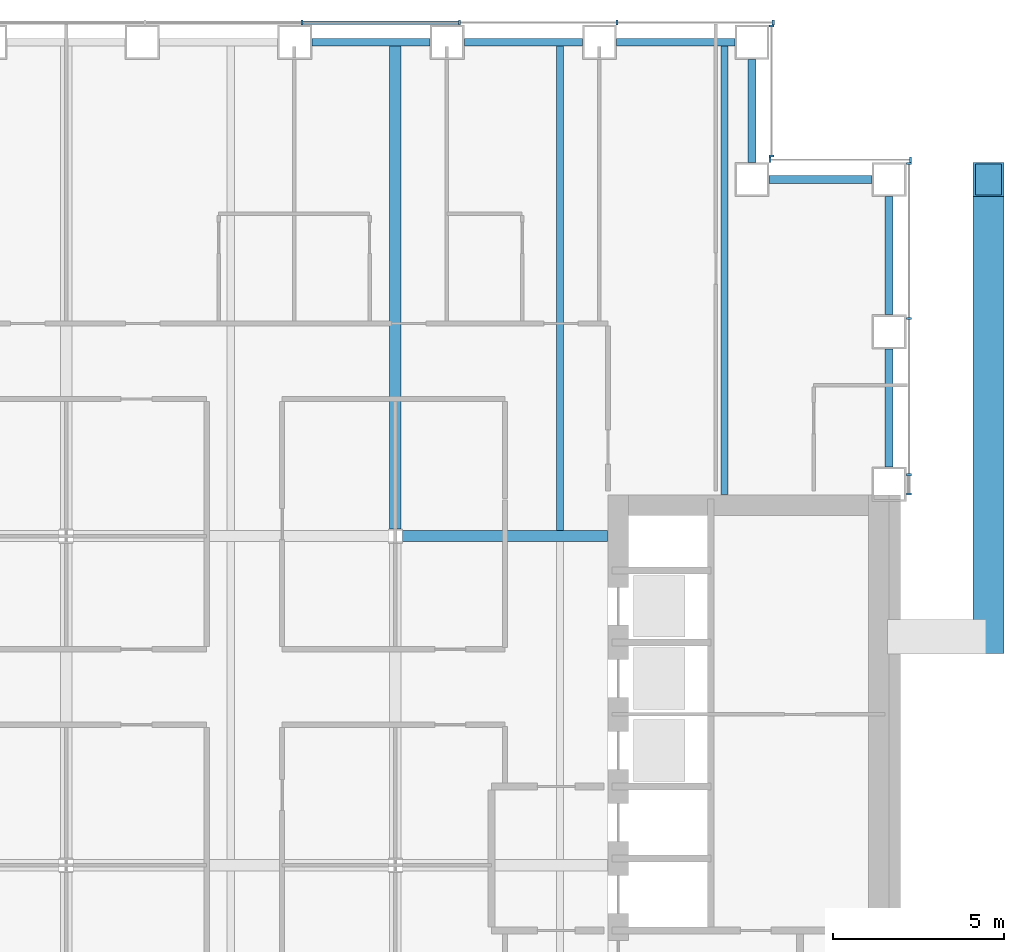
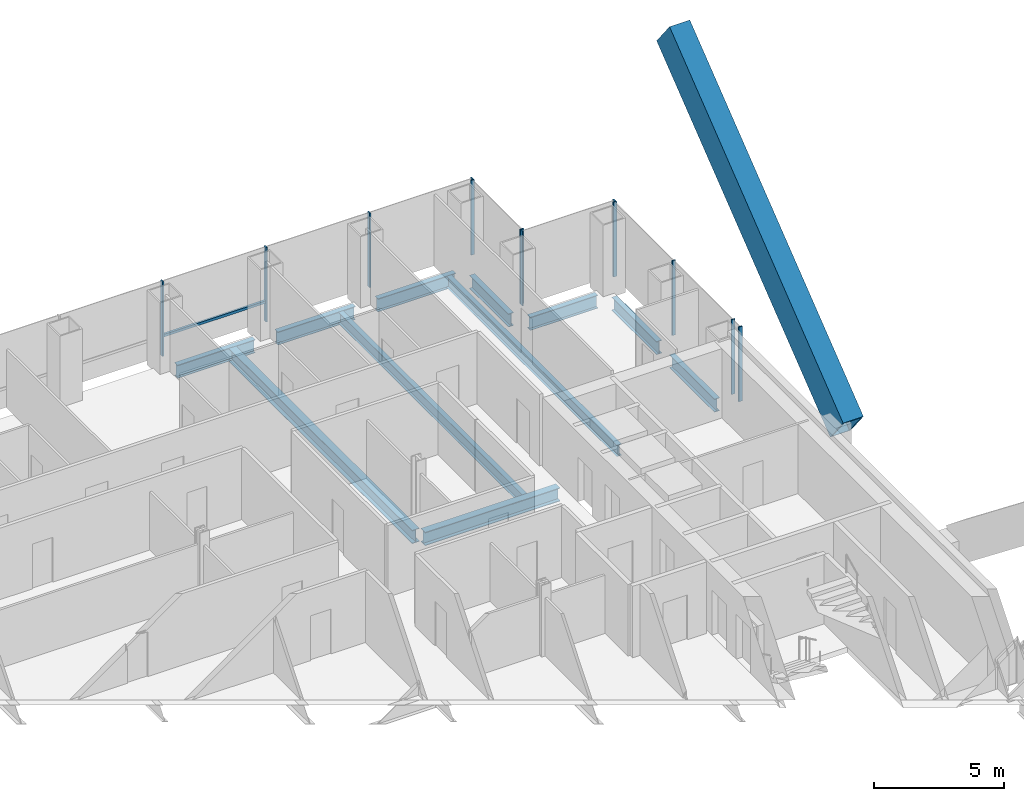
# One storey, part 10 of 23: 14 members, 11 beams, 4 elements without a shape of their own.
"""IFC4 building model written with IfcOpenShell, lengths in metres."""

from ifc_helpers import new_model, si_unit, direction, frame, origin, origin_2d, place, context, subcontext, project, spatial, rectangle, hollow_rectangle, i_section, extrude, material, material_profile, profile_set, type_object, element, aggregate, save


model = new_model("IFC4")

# Units and contexts
model_context = context("Model", 3, precision=1e-05, world=origin(), true_north=direction((0.0, 1.0)))
body_context = subcontext(model_context, "Body", "Model", "MODEL_VIEW")
ifc_project = project(units=[si_unit("LENGTHUNIT", "METRE"), si_unit("AREAUNIT", "SQUARE_METRE"), si_unit("VOLUMEUNIT", "CUBIC_METRE"), si_unit("PLANEANGLEUNIT", "RADIAN"), si_unit("MASSUNIT", "GRAM", prefix="KILO")], contexts=[model_context])

# Site, building, storey
site_placement = place(None, origin())
site = spatial("IfcSite", under=ifc_project, at=site_placement, CompositionType="ELEMENT")
building_placement = place(site_placement, origin())
building = spatial("IfcBuilding", under=site, at=building_placement, Name="Cobrizo Arcos Hotel Tower", CompositionType="ELEMENT")
storey_placement = place(building_placement, frame((0.0, 0.0, 56.5)))
storey = spatial("IfcBuildingStorey", under=building, at=storey_placement, Name="L12", CompositionType="ELEMENT", Elevation=56.5)

# Member
ifc_material_1 = material(Name="Steel ASTM A572 Grade 50", Category="steel")
ifc_material_profile_1 = material_profile(ifc_material_1, hollow_rectangle(XDim=0.89990234375, YDim=1.60009765625, WallThickness=0.070068359375, at=origin_2d()), Name="BOX 900X1600X70")
ifc_profile_set_1 = profile_set([ifc_material_profile_1], Name="Steel ASTM A572 Grade 50")
member_type_1 = type_object("IfcMemberType", Name="BOX 900X1600X70 perimeter brace", PredefinedType="BRACE", material=ifc_profile_set_1)
member_1_placement = place(storey_placement, frame((26.89990234375, 6.666748046875, 0.5), z_axis=(0.0, 0.785634479204, 0.618690928563), x_axis=(-1.0, 0.0, 0.0)))
element("IfcMember", 1, at=member_1_placement, inside=storey, type_object=member_type_1, Name="Perimeter brace PBR1, zone Z1, east face, no. 03", PredefinedType="BRACE", context=body_context, shape_type="SweptSolid", body=[
    extrude(hollow_rectangle(XDim=0.89990234375, YDim=1.60009765625, WallThickness=0.070068359375, at=origin_2d()), origin(), (0.0, 0.0, 1.0), 16.971435546875),
])

# Curtain wall, members
ifc_material_2 = material(Name="Aluminium 6063-T6 anodised bronze", Category="aluminium")
curtain_wall_type = type_object("IfcCurtainWallType", Name="CW-A guest facade", PredefinedType="NOTDEFINED", material=ifc_material_2)
curtain_wall_1_placement = place(storey_placement, origin())
curtain_wall_1 = element("IfcCurtainWall", 2, at=curtain_wall_1_placement, inside=storey, type_object=curtain_wall_type, Name="CW-A L12 E face", PredefinedType="NOTDEFINED")
ifc_material_profile_2 = material_profile(ifc_material_2, rectangle(XDim=0.14990234375, YDim=0.06005859375, at=origin_2d()), Name="CW-A mullion 150x60")
ifc_profile_set_2 = profile_set([ifc_material_profile_2], Name="Aluminium 6063-T6 anodised bronze")
member_type_2 = type_object("IfcMemberType", Name="CW-A mullion 150x60", PredefinedType="MULLION", material=ifc_profile_set_2)
member_2_placement = place(storey_placement, frame((24.574951171875, 10.830078125, 0.0), z_axis=(0.0, 0.0, 1.0), x_axis=(1.0, 0.0, 0.0)))
member_2 = element("IfcMember", 3, at=member_2_placement, type_object=member_type_2, Name="CW-A mullion 1", PredefinedType="MULLION", context=body_context, shape_type="SweptSolid", body=[
    extrude(rectangle(XDim=0.14990234375, YDim=0.06005859375, at=origin_2d()), origin(), (0.0, 0.0, 1.0), 3.5),
])
member_3_placement = place(storey_placement, frame((24.574951171875, 11.388916015625, 0.0), z_axis=(0.0, 0.0, 1.0), x_axis=(1.0, 0.0, 0.0)))
member_3 = element("IfcMember", 4, at=member_3_placement, type_object=member_type_2, Name="CW-A mullion 2", PredefinedType="MULLION", context=body_context, shape_type="SweptSolid", body=[
    extrude(rectangle(XDim=0.14990234375, YDim=0.06005859375, at=origin_2d()), origin(), (0.0, 0.0, 1.0), 3.5),
])
member_4_placement = place(storey_placement, frame((24.574951171875, 15.9443359375, 0.0), z_axis=(0.0, 0.0, 1.0), x_axis=(1.0, 0.0, 0.0)))
member_4 = element("IfcMember", 5, at=member_4_placement, type_object=member_type_2, Name="CW-A mullion 3", PredefinedType="MULLION", context=body_context, shape_type="SweptSolid", body=[
    extrude(rectangle(XDim=0.14990234375, YDim=0.06005859375, at=origin_2d()), origin(), (0.0, 0.0, 1.0), 3.5),
])
member_5_placement = place(storey_placement, frame((24.574951171875, 20.469970703125, 0.0), z_axis=(0.0, 0.0, 1.0), x_axis=(1.0, 0.0, 0.0)))
member_5 = element("IfcMember", 6, at=member_5_placement, type_object=member_type_2, Name="CW-A mullion 4", PredefinedType="MULLION", context=body_context, shape_type="SweptSolid", body=[
    extrude(rectangle(XDim=0.14990234375, YDim=0.06005859375, at=origin_2d()), origin(), (0.0, 0.0, 1.0), 3.5),
])
aggregate(curtain_wall_1, [member_2, member_3, member_4, member_5])

curtain_wall_2_placement = place(storey_placement, origin())
curtain_wall_2 = element("IfcCurtainWall", 7, at=curtain_wall_2_placement, inside=storey, type_object=curtain_wall_type, Name="CW-A L12 N face", PredefinedType="NOTDEFINED")
member_6_placement = place(storey_placement, frame((24.6201171875, 20.574951171875, 0.0), z_axis=(0.0, 0.0, 1.0), x_axis=(0.0, 1.0, 0.0)))
member_6 = element("IfcMember", 8, at=member_6_placement, type_object=member_type_2, Name="CW-A mullion 1", PredefinedType="MULLION", context=body_context, shape_type="SweptSolid", body=[
    extrude(rectangle(XDim=0.14990234375, YDim=0.06005859375, at=origin_2d()), origin(), (0.0, 0.0, 1.0), 3.5),
])
member_7_placement = place(storey_placement, frame((20.530029296875, 20.574951171875, 0.0), z_axis=(0.0, 0.0, 1.0), x_axis=(0.0, 1.0, 0.0)))
member_7 = element("IfcMember", 9, at=member_7_placement, type_object=member_type_2, Name="CW-A mullion 2", PredefinedType="MULLION", context=body_context, shape_type="SweptSolid", body=[
    extrude(rectangle(XDim=0.14990234375, YDim=0.06005859375, at=origin_2d()), origin(), (0.0, 0.0, 1.0), 3.5),
])
aggregate(curtain_wall_2, [member_6, member_7])

curtain_wall_3_placement = place(storey_placement, origin())
curtain_wall_3 = element("IfcCurtainWall", 10, at=curtain_wall_3_placement, inside=storey, type_object=curtain_wall_type, Name="CW-A L12 E face", PredefinedType="NOTDEFINED")
member_8_placement = place(storey_placement, frame((20.574951171875, 20.679931640625, 0.0), z_axis=(0.0, 0.0, 1.0), x_axis=(1.0, 0.0, 0.0)))
member_8 = element("IfcMember", 11, at=member_8_placement, type_object=member_type_2, Name="CW-A mullion 1", PredefinedType="MULLION", context=body_context, shape_type="SweptSolid", body=[
    extrude(rectangle(XDim=0.14990234375, YDim=0.06005859375, at=origin_2d()), origin(), (0.0, 0.0, 1.0), 3.5),
])
member_9_placement = place(storey_placement, frame((20.574951171875, 24.469970703125, 0.0), z_axis=(0.0, 0.0, 1.0), x_axis=(1.0, 0.0, 0.0)))
member_9 = element("IfcMember", 12, at=member_9_placement, type_object=member_type_2, Name="CW-A mullion 2", PredefinedType="MULLION", context=body_context, shape_type="SweptSolid", body=[
    extrude(rectangle(XDim=0.14990234375, YDim=0.06005859375, at=origin_2d()), origin(), (0.0, 0.0, 1.0), 3.5),
])
aggregate(curtain_wall_3, [member_8, member_9])

curtain_wall_4_placement = place(storey_placement, origin())
curtain_wall_4 = element("IfcCurtainWall", 13, at=curtain_wall_4_placement, inside=storey, type_object=curtain_wall_type, Name="CW-A L12 N face", PredefinedType="NOTDEFINED")
member_10_placement = place(storey_placement, frame((20.6201171875, 24.574951171875, 0.0), z_axis=(0.0, 0.0, 1.0), x_axis=(0.0, 1.0, 0.0)))
member_10 = element("IfcMember", 14, at=member_10_placement, type_object=member_type_2, Name="CW-A mullion 1", PredefinedType="MULLION", context=body_context, shape_type="SweptSolid", body=[
    extrude(rectangle(XDim=0.14990234375, YDim=0.06005859375, at=origin_2d()), origin(), (0.0, 0.0, 1.0), 3.5),
])
member_11_placement = place(storey_placement, frame((16.06103515625, 24.574951171875, 0.0), z_axis=(0.0, 0.0, 1.0), x_axis=(0.0, 1.0, 0.0)))
member_11 = element("IfcMember", 15, at=member_11_placement, type_object=member_type_2, Name="CW-A mullion 2", PredefinedType="MULLION", context=body_context, shape_type="SweptSolid", body=[
    extrude(rectangle(XDim=0.14990234375, YDim=0.06005859375, at=origin_2d()), origin(), (0.0, 0.0, 1.0), 3.5),
])
member_12_placement = place(storey_placement, frame((11.47216796875, 24.574951171875, 0.0), z_axis=(0.0, 0.0, 1.0), x_axis=(0.0, 1.0, 0.0)))
member_12 = element("IfcMember", 16, at=member_12_placement, type_object=member_type_2, Name="CW-A mullion 3", PredefinedType="MULLION", context=body_context, shape_type="SweptSolid", body=[
    extrude(rectangle(XDim=0.14990234375, YDim=0.06005859375, at=origin_2d()), origin(), (0.0, 0.0, 1.0), 3.5),
])
member_13_placement = place(storey_placement, frame((6.88330078125, 24.574951171875, 0.0), z_axis=(0.0, 0.0, 1.0), x_axis=(0.0, 1.0, 0.0)))
member_13 = element("IfcMember", 17, at=member_13_placement, type_object=member_type_2, Name="CW-A mullion 4", PredefinedType="MULLION", context=body_context, shape_type="SweptSolid", body=[
    extrude(rectangle(XDim=0.14990234375, YDim=0.06005859375, at=origin_2d()), origin(), (0.0, 0.0, 1.0), 3.5),
])
ifc_material_profile_3 = material_profile(ifc_material_2, rectangle(XDim=0.10009765625, YDim=0.1201171875, at=origin_2d()), Name="CW-A transom 120x100")
ifc_profile_set_3 = profile_set([ifc_material_profile_3], Name="Aluminium 6063-T6 anodised bronze")
member_type_3 = type_object("IfcMemberType", Name="CW-A transom 120x100", PredefinedType="USERDEFINED", material=ifc_profile_set_3)
member_14_placement = place(storey_placement, frame((11.442138671875, 24.574951171875, 0.929931640625), z_axis=(-1.0, 0.0, 0.0), x_axis=(0.0, -1.0, 0.0)))
member_14 = element("IfcMember", 18, at=member_14_placement, type_object=member_type_3, Name="CW-A transom 572", ObjectType="TRANSOM", PredefinedType="USERDEFINED", context=body_context, shape_type="SweptSolid", body=[
    extrude(rectangle(XDim=0.10009765625, YDim=0.1201171875, at=origin_2d()), origin(), (0.0, 0.0, 1.0), 4.52880859375),
])
aggregate(curtain_wall_4, [member_10, member_11, member_12, member_13, member_14])

# Beams
ifc_material_3 = material(Name="Steel ASTM A992 Grade 50", Category="steel")
ifc_material_profile_4 = material_profile(ifc_material_3, i_section(OverallWidth=0.209228515625, OverallDepth=0.533447265625, WebThickness=0.01025390625, FlangeThickness=0.015625, at=origin_2d()), Name="W21X62")
ifc_profile_set_4 = profile_set([ifc_material_profile_4], Name="Steel ASTM A992 Grade 50")
beam_type_1 = type_object("IfcBeamType", Name="W21X62 joist", PredefinedType="JOIST", material=ifc_profile_set_4)
beam_1_placement = place(storey_placement, frame((14.39990234375, 9.763916015625, -0.416748046875), z_axis=(0.0, 1.0, 0.0), x_axis=(-1.0, 0.0, 0.0)))
element("IfcBeam", 19, at=beam_1_placement, inside=storey, type_object=beam_type_1, Name="Floor joist J1, L12, no. 018", PredefinedType="JOIST", context=body_context, shape_type="SweptSolid", body=[
    extrude(i_section(OverallWidth=0.209228515625, OverallDepth=0.533447265625, WebThickness=0.01025390625, FlangeThickness=0.015625, at=origin_2d()), origin(), (0.0, 0.0, 1.0), 14.14599609375),
])
beam_2_placement = place(storey_placement, frame((19.199951171875, 10.81005859375, -0.416748046875), z_axis=(0.0, 1.0, 0.0), x_axis=(-1.0, 0.0, 0.0)))
element("IfcBeam", 20, at=beam_2_placement, inside=storey, type_object=beam_type_1, Name="Floor joist J1, L12, no. 020", PredefinedType="JOIST", context=body_context, shape_type="SweptSolid", body=[
    extrude(i_section(OverallWidth=0.209228515625, OverallDepth=0.533447265625, WebThickness=0.01025390625, FlangeThickness=0.015625, at=origin_2d()), origin(), (0.0, 0.0, 1.0), 13.099853515625),
])
ifc_material_profile_5 = material_profile(ifc_material_3, i_section(OverallWidth=0.32763671875, OverallDepth=0.622314453125, WebThickness=0.015380859375, FlangeThickness=0.0244140625, at=origin_2d()), Name="W24X131")
ifc_profile_set_5 = profile_set([ifc_material_profile_5], Name="Steel ASTM A992 Grade 50")
beam_type_2 = type_object("IfcBeamType", Name="W24X131 girder", PredefinedType="BEAM", material=ifc_profile_set_5)
beam_3_placement = place(storey_placement, frame((9.804443359375, 9.60009765625, -0.461181640625), z_axis=(1.0, 0.0, 0.0), x_axis=(0.0, 1.0, 0.0)))
element("IfcBeam", 21, at=beam_3_placement, inside=storey, type_object=beam_type_2, Name="Floor girder G1, L12, no. 012", PredefinedType="BEAM", context=body_context, shape_type="SweptSolid", body=[
    extrude(i_section(OverallWidth=0.32763671875, OverallDepth=0.622314453125, WebThickness=0.015380859375, FlangeThickness=0.0244140625, at=origin_2d()), origin(), (0.0, 0.0, 1.0), 5.985595703125),
])
beam_4_placement = place(storey_placement, frame((9.60009765625, 9.804443359375, -0.461181640625), z_axis=(0.0, 1.0, 0.0), x_axis=(-1.0, 0.0, 0.0)))
element("IfcBeam", 22, at=beam_4_placement, inside=storey, type_object=beam_type_2, Name="Floor girder G1, L12, no. 024", PredefinedType="BEAM", context=body_context, shape_type="SweptSolid", body=[
    extrude(i_section(OverallWidth=0.32763671875, OverallDepth=0.622314453125, WebThickness=0.015380859375, FlangeThickness=0.0244140625, at=origin_2d()), origin(), (0.0, 0.0, 1.0), 14.10546875),
])
ifc_material_profile_6 = material_profile(ifc_material_3, i_section(OverallWidth=0.23046875, OverallDepth=0.6171875, WebThickness=0.01318359375, FlangeThickness=0.022216796875, at=origin_2d()), Name="W24X94")
ifc_profile_set_6 = profile_set([ifc_material_profile_6], Name="Steel ASTM A992 Grade 50")
beam_type_3 = type_object("IfcBeamType", Name="W24X94 spandrel", PredefinedType="SPANDREL", material=ifc_profile_set_6)
beam_5_placement = place(storey_placement, frame((24.0, 11.611083984375, -0.45849609375), z_axis=(0.0, 1.0, 0.0), x_axis=(-1.0, 0.0, 0.0)))
element("IfcBeam", 23, at=beam_5_placement, inside=storey, type_object=beam_type_3, Name="Spandrel beam W24X94, L12, no. 014", PredefinedType="SPANDREL", context=body_context, shape_type="SweptSolid", body=[
    extrude(i_section(OverallWidth=0.23046875, OverallDepth=0.6171875, WebThickness=0.01318359375, FlangeThickness=0.022216796875, at=origin_2d()), origin(), (0.0, 0.0, 1.0), 3.44482421875),
])
beam_6_placement = place(storey_placement, frame((24.0, 16.055908203125, -0.45849609375), z_axis=(0.0, 1.0, 0.0), x_axis=(-1.0, 0.0, 0.0)))
element("IfcBeam", 24, at=beam_6_placement, inside=storey, type_object=beam_type_3, Name="Spandrel beam W24X94, L12, no. 015", PredefinedType="SPANDREL", context=body_context, shape_type="SweptSolid", body=[
    extrude(i_section(OverallWidth=0.23046875, OverallDepth=0.6171875, WebThickness=0.01318359375, FlangeThickness=0.022216796875, at=origin_2d()), origin(), (0.0, 0.0, 1.0), 3.444091796875),
])
for number, where, z_axis, x_axis, name in (
    (25, (23.5, 20.0, -0.45849609375), (-1.0, 0.0, 0.0), (0.0, -1.0, 0.0), "Spandrel beam W24X94, L12, no. 016"),
    (26, (20.0, 20.5, -0.45849609375), (0.0, 1.0, 0.0), (-1.0, 0.0, 0.0), "Spandrel beam W24X94, L12, no. 017"),
):
    element("IfcBeam", number, at=place(storey_placement, frame(where, z_axis=z_axis, x_axis=x_axis)), inside=storey, type_object=beam_type_3, Name=name, PredefinedType="SPANDREL", context=body_context, shape_type="SweptSolid", body=[
        extrude(i_section(OverallWidth=0.23046875, OverallDepth=0.6171875, WebThickness=0.01318359375, FlangeThickness=0.022216796875, at=origin_2d()), origin(), (0.0, 0.0, 1.0), 3.0),
    ])
beam_7_placement = place(storey_placement, frame((19.5, 24.0, -0.45849609375), z_axis=(-1.0, 0.0, 0.0), x_axis=(0.0, -1.0, 0.0)))
element("IfcBeam", 27, at=beam_7_placement, inside=storey, type_object=beam_type_3, Name="Spandrel beam W24X94, L12, no. 018", PredefinedType="SPANDREL", context=body_context, shape_type="SweptSolid", body=[
    extrude(i_section(OverallWidth=0.23046875, OverallDepth=0.6171875, WebThickness=0.01318359375, FlangeThickness=0.022216796875, at=origin_2d()), origin(), (0.0, 0.0, 1.0), 3.444091796875),
])
beam_8_placement = place(storey_placement, frame((15.055908203125, 24.0, -0.45849609375), z_axis=(-1.0, 0.0, 0.0), x_axis=(0.0, -1.0, 0.0)))
element("IfcBeam", 28, at=beam_8_placement, inside=storey, type_object=beam_type_3, Name="Spandrel beam W24X94, L12, no. 019", PredefinedType="SPANDREL", context=body_context, shape_type="SweptSolid", body=[
    extrude(i_section(OverallWidth=0.23046875, OverallDepth=0.6171875, WebThickness=0.01318359375, FlangeThickness=0.022216796875, at=origin_2d()), origin(), (0.0, 0.0, 1.0), 3.44482421875),
])
beam_9_placement = place(storey_placement, frame((10.611083984375, 24.0, -0.45849609375), z_axis=(-1.0, 0.0, 0.0), x_axis=(0.0, -1.0, 0.0)))
element("IfcBeam", 29, at=beam_9_placement, inside=storey, type_object=beam_type_3, Name="Spandrel beam W24X94, L12, no. 020", PredefinedType="SPANDREL", context=body_context, shape_type="SweptSolid", body=[
    extrude(i_section(OverallWidth=0.23046875, OverallDepth=0.6171875, WebThickness=0.01318359375, FlangeThickness=0.022216796875, at=origin_2d()), origin(), (0.0, 0.0, 1.0), 3.444091796875),
])

save(model, "model.ifc")
